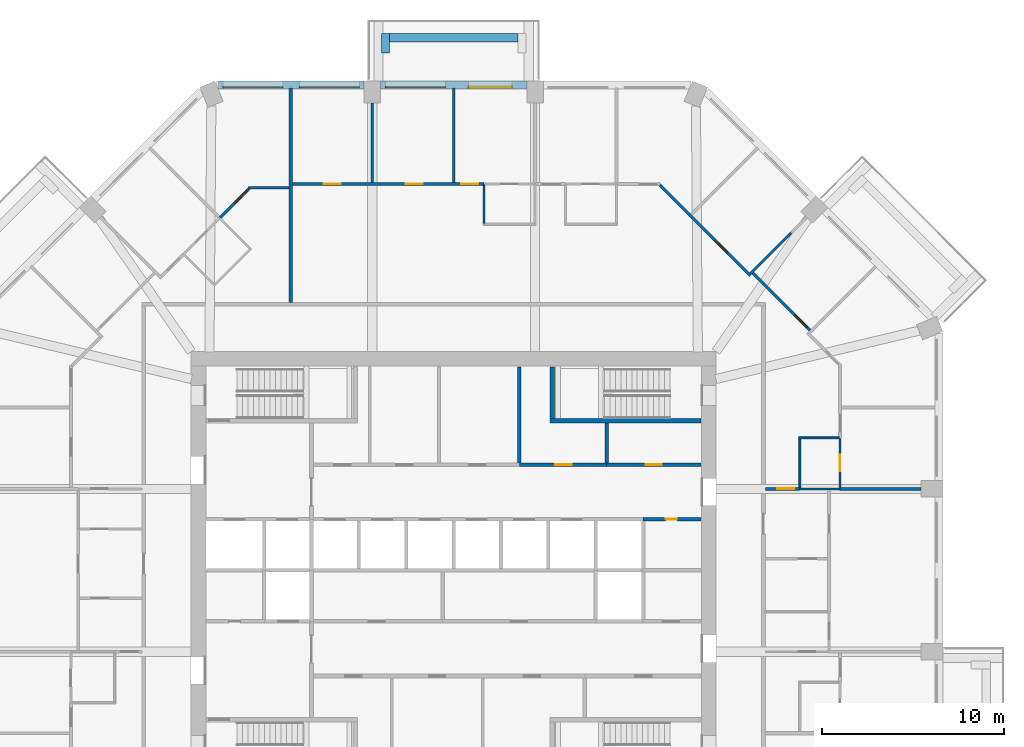
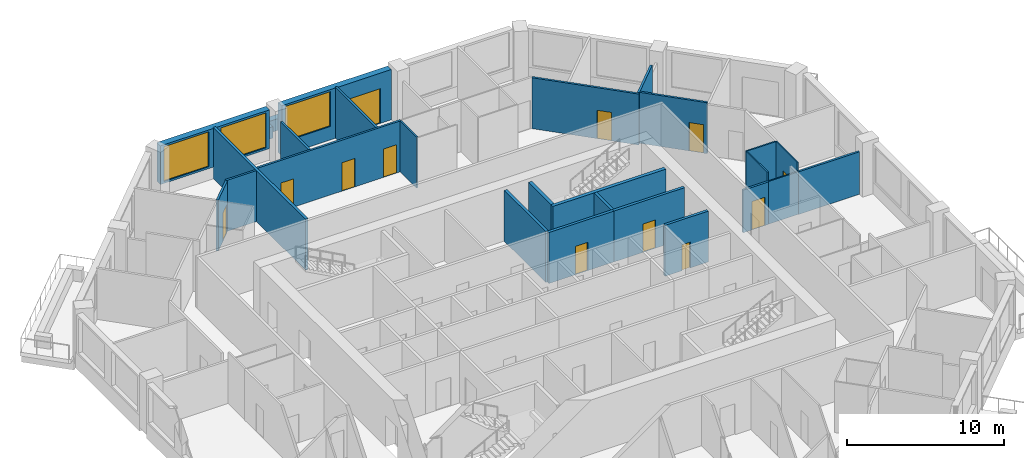
# One storey, part 9 of 12: 27 walls, 12 doors, 3 windows, 15 openings.
"""IFC4 building model written with IfcOpenShell, lengths in metres."""

import ifcopenshell
import ifcopenshell.guid

model = None  # the IFC model being written
_history = None  # IfcOwnerHistory: only IFC2X3 demands one
_inside = {}  # id of a spatial element -> (the spatial element, [elements in it])
_under = {}  # id of a project, library or spatial element -> (it, [spatial elements below it])
_declared = {}  # id of a project -> (the project, [libraries it declares])
_typed = {}  # id of a type object -> (the type object, [elements of that type])
_made_of = {}  # id of a material, layer set ... -> (it, [elements and type objects made of it])


def new_model(schema):
    """Start an empty IFC model of exactly this schema.

    Asked for "IFC4X3", IfcOpenShell would pick the latest addendum, in which some entities
    have other attributes; the version numbers below select the first issue.
    IFC2X3 requires an IfcOwnerHistory on every rooted entity: one is made here for all.
    """
    global model, _history
    if schema == "IFC4X3":
        model = ifcopenshell.file(schema_version=(4, 3, 0, 0))
    else:
        model = ifcopenshell.file(schema=schema)
    _inside.clear()
    _under.clear()
    _declared.clear()
    _typed.clear()
    _made_of.clear()
    _history = None
    if model.schema == "IFC2X3":
        org = make("IfcOrganization", Name="unknown")
        user = make(
            "IfcPersonAndOrganization",
            ThePerson=make("IfcPerson", FamilyName="unknown"),
            TheOrganization=org,
        )
        app = make(
            "IfcApplication",
            ApplicationDeveloper=org,
            Version="unknown",
            ApplicationFullName="unknown",
            ApplicationIdentifier="unknown",
        )
        _history = make(
            "IfcOwnerHistory",
            OwningUser=user,
            OwningApplication=app,
            ChangeAction="ADDED",
            CreationDate=0,
        )
    return model


def make(cls, **values):
    """One entity of the class cls with the attributes given. An attribute that is None is left unset."""
    return model.create_entity(
        cls, **{name: value for name, value in values.items() if value is not None}
    )


def rooted(cls, **values):
    """An entity with a GlobalId (a new one), such as an element, a storey or a relation."""
    return make(cls, GlobalId=ifcopenshell.guid.new(), OwnerHistory=_history, **values)


def si_unit(unit_type, name, prefix=None):
    """IfcSIUnit, for example si_unit("LENGTHUNIT", "METRE", prefix="MILLI")."""
    return make("IfcSIUnit", UnitType=unit_type, Prefix=prefix, Name=name)


def assignment(units):
    """IfcUnitAssignment: the units of a project."""
    return None if units is None else make("IfcUnitAssignment", Units=units)


def point(xyz):
    """IfcCartesianPoint."""
    return None if xyz is None else make("IfcCartesianPoint", Coordinates=xyz)


def direction(xyz):
    """IfcDirection."""
    return None if xyz is None else make("IfcDirection", DirectionRatios=xyz)


def frame(location, z_axis=None, x_axis=None):
    """IfcAxis2Placement3D, a coordinate frame: its origin and axes. An axis left out is left unset."""
    return make(
        "IfcAxis2Placement3D",
        Location=point(location),
        Axis=direction(z_axis),
        RefDirection=direction(x_axis),
    )


def frame_2d(location, x_axis=None):
    """IfcAxis2Placement2D, a coordinate frame in the plane: its origin and x axis."""
    return make(
        "IfcAxis2Placement2D", Location=point(location), RefDirection=direction(x_axis)
    )


def origin():
    """The frame at (0, 0, 0) with its axes left unset."""
    return frame((0.0, 0.0, 0.0))


def place(relative_to, where):
    """IfcLocalPlacement: puts the frame where relative to a parent placement (None: the world)."""
    return make(
        "IfcLocalPlacement", PlacementRelTo=relative_to, RelativePlacement=where
    )


def context(
    kind, dimensions, precision=None, world=None, true_north=None, identifier=None
):
    """IfcGeometricRepresentationContext, for example the 3D "Model" context."""
    return make(
        "IfcGeometricRepresentationContext",
        ContextIdentifier=identifier,
        ContextType=kind,
        CoordinateSpaceDimension=dimensions,
        Precision=precision,
        WorldCoordinateSystem=world,
        TrueNorth=true_north,
    )


def subcontext(parent, identifier, kind, view, scale=None):
    """IfcGeometricRepresentationSubContext, for example "Body" below "Model"."""
    return make(
        "IfcGeometricRepresentationSubContext",
        ContextIdentifier=identifier,
        ContextType=kind,
        ParentContext=parent,
        TargetScale=scale,
        TargetView=view,
    )


def project(units=None, contexts=None):
    """IfcProject with its units and contexts."""
    return rooted(
        "IfcProject",
        Name="project",
        RepresentationContexts=contexts,
        UnitsInContext=assignment(units),
    )


def spatial(cls, under=None, at=None, **own):
    """A site, building, storey or space (cls), placed at a placement, below another one or the project."""
    s = rooted(cls, ObjectPlacement=at, **own)
    if under is not None:
        _under.setdefault(under.id(), (under, []))[1].append(s)
    return s


def profile(cls, at=None, kind="AREA", **sizes):
    """A parametric profile (cls). Its sizes go by their IFC names, for example OverallWidth=200.0."""
    return make(cls, ProfileType=kind, Position=at, **sizes)


def rectangle(**sizes):
    """IfcRectangleProfileDef."""
    return profile("IfcRectangleProfileDef", **sizes)


def extrude(swept, where, along, depth):
    """IfcExtrudedAreaSolid: the profile swept, set in the frame where, extruded along a direction by depth."""
    return make(
        "IfcExtrudedAreaSolid",
        SweptArea=swept,
        Position=where,
        ExtrudedDirection=direction(along),
        Depth=depth,
    )


def shape(context_of_items, identifier, shape_type, items):
    """IfcShapeRepresentation: the items that make up one representation, for example the "Body"."""
    return make(
        "IfcShapeRepresentation",
        ContextOfItems=context_of_items,
        RepresentationIdentifier=identifier,
        RepresentationType=shape_type,
        Items=items,
    )


def material(Name=None, Category=None):
    """IfcMaterial."""
    return make("IfcMaterial", Name=Name, Category=Category)


def layer(
    of_material, thickness, ventilated=None, Name=None, Category=None, Priority=None
):
    """IfcMaterialLayer: one layer of a wall or slab, of a material (None: an air gap)."""
    return make(
        "IfcMaterialLayer",
        Material=of_material,
        LayerThickness=thickness,
        IsVentilated=ventilated,
        Name=Name,
        Category=Category,
        Priority=Priority,
    )


def layer_set(layers, Name=None):
    """IfcMaterialLayerSet."""
    return make("IfcMaterialLayerSet", MaterialLayers=layers, LayerSetName=Name)


def made_of(thing, what):
    """Note that an element or type object is made of a material, layer set ...; save() writes the relation."""
    if what is not None:
        _made_of.setdefault(what.id(), (what, []))[1].append(thing)
    return thing


def type_object(cls, material=None, **own):
    """A type object (cls), such as IfcWallType, which elements share."""
    return made_of(rooted(cls, **own), material)


def element(
    cls,
    number,
    at=None,
    inside=None,
    cuts=None,
    type_object=None,
    material=None,
    context=None,
    identifier="Body",
    shape_type=None,
    held_by="IfcProductDefinitionShape",
    body=None,
    shapes=None,
    **own,
):
    """One element of the class cls, such as IfcWall. Its Tag is "e" and its number.

    at: its placement. inside: the storey or other place that contains it. cuts: it is an
    opening in that element (IfcRelVoidsElement). A single representation is given by context,
    identifier, shape_type and body (its items); several are given by shapes. held_by: the class
    of the entity that holds the representations. save() writes the other relations.
    """
    e = rooted(cls, Tag="e%d" % number, ObjectPlacement=at, **own)
    if body is not None:
        shapes = [shape(context, identifier, shape_type, body)]
    if shapes is not None:
        e.Representation = make(held_by, Representations=shapes)
    if inside is not None:
        _inside.setdefault(inside.id(), (inside, []))[1].append(e)
    if cuts is not None:
        rooted(
            "IfcRelVoidsElement", RelatingBuildingElement=cuts, RelatedOpeningElement=e
        )
    if type_object is not None:
        _typed.setdefault(type_object.id(), (type_object, []))[1].append(e)
    return made_of(e, material)


def fill(opening, filler):
    """IfcRelFillsElement: the door or window that sits in an opening."""
    return rooted(
        "IfcRelFillsElement",
        RelatingOpeningElement=opening,
        RelatedBuildingElement=filler,
    )


def aggregate(whole, parts):
    """IfcRelAggregates: a whole, such as a stair, and the parts it consists of."""
    return rooted("IfcRelAggregates", RelatingObject=whole, RelatedObjects=parts)


def save(model, path):
    """Write the relations noted so far, then the file.

    IfcRelAggregates (storeys below a building ...), IfcRelContainedInSpatialStructure (elements
    in a storey), IfcRelDefinesByType, IfcRelAssociatesMaterial and IfcRelDeclares: one each for
    every whole, place, type object, material and project.
    """
    for whole, parts in _under.values():
        aggregate(whole, parts)
    for where, things in _inside.values():
        rooted(
            "IfcRelContainedInSpatialStructure",
            RelatedElements=things,
            RelatingStructure=where,
        )
    for kind, things in _typed.values():
        rooted("IfcRelDefinesByType", RelatedObjects=things, RelatingType=kind)
    for what, things in _made_of.values():
        rooted("IfcRelAssociatesMaterial", RelatedObjects=things, RelatingMaterial=what)
    for by, libraries in _declared.values():
        rooted("IfcRelDeclares", RelatingContext=by, RelatedDefinitions=libraries)
    model.write(path)


model = new_model("IFC4")

# Units and contexts
model_context = context("Model", 3, precision=1e-05, world=origin(), true_north=direction((0.0, 1.0)))
body_context = subcontext(model_context, "Body", "Model", "MODEL_VIEW")
ifc_project = project(units=[si_unit("LENGTHUNIT", "METRE"), si_unit("AREAUNIT", "SQUARE_METRE"), si_unit("VOLUMEUNIT", "CUBIC_METRE"), si_unit("PLANEANGLEUNIT", "RADIAN"), si_unit("MASSUNIT", "GRAM", prefix="KILO")], contexts=[model_context])

# Site, building, storey
site_placement = place(None, origin())
site = spatial("IfcSite", under=ifc_project, at=site_placement, CompositionType="ELEMENT")
building_placement = place(site_placement, origin())
building = spatial("IfcBuilding", under=site, at=building_placement, Name="Msitu Wima Residences", CompositionType="ELEMENT")
storey_placement = place(building_placement, frame((0.0, 0.0, 123.300048828125)))
storey = spatial("IfcBuildingStorey", under=building, at=storey_placement, Name="L28", CompositionType="ELEMENT", Elevation=123.300048828125)

# Walls
ifc_material_1 = material(Name="Facing brick")
ifc_layer_1 = layer(ifc_material_1, 0.06494140625, Name="Facing brick")
ifc_material_2 = material(Name="Concrete C40/50", Category="concrete")
ifc_layer_2 = layer(ifc_material_2, 0.156005859375, Name="Concrete C40/50")
ifc_material_3 = material(Name="Waterproofing membrane")
ifc_layer_3 = layer(ifc_material_3, 0.00390625, Name="Waterproofing membrane")
ifc_material_4 = material(Name="Planting soil and planting")
ifc_layer_4 = layer(ifc_material_4, 0.22509765625, Name="Planting soil and planting")
ifc_layer_set_1 = layer_set([ifc_layer_1, ifc_layer_2, ifc_layer_3, ifc_layer_4], Name="Concrete C40/50")
wall_type_1 = type_object("IfcWallType", Name="Balcony planter PLANTER PL450", PredefinedType="USERDEFINED", material=ifc_layer_set_1)
wall_1_placement = place(storey_placement, frame((3.5185546875, 29.22509765625, 0.0), z_axis=(0.0, 0.0, 1.0), x_axis=(-1.0, 0.0, 0.0)))
element("IfcWall", 1, at=wall_1_placement, inside=storey, type_object=wall_type_1, Name="Balcony planter N1 L28", ObjectType="PLANTER", PredefinedType="USERDEFINED", context=body_context, shape_type="SweptSolid", body=[
    extrude(rectangle(XDim=7.037109375, YDim=0.449951171875, at=frame_2d((3.5185546875, 0.0))), origin(), (0.0, 0.0, 1.0), 0.89990234375),
])
wall_2_placement = place(storey_placement, frame((-3.74365234375, 28.39990234375, 0.0), z_axis=(0.0, 0.0, 1.0), x_axis=(0.0, 1.0, 0.0)))
element("IfcWall", 2, at=wall_2_placement, inside=storey, type_object=wall_type_1, Name="Balcony planter N1 L28", ObjectType="PLANTER", PredefinedType="USERDEFINED", context=body_context, shape_type="SweptSolid", body=[
    extrude(rectangle(XDim=1.050048828125, YDim=0.449951171875, at=frame_2d((0.52490234375, 0.0))), origin(), (0.0, 0.0, 1.0), 0.89990234375),
])

# Wall, openings, door, window
ifc_material_5 = material(Name="Brick (red buff mix)", Category="masonry")
ifc_layer_5 = layer(ifc_material_5, 0.449951171875)
ifc_layer_set_2 = layer_set([ifc_layer_5], Name="Brick (red buff mix)")
wall_type_2 = type_object("IfcWallType", Name="Brick infill wall BW450", PredefinedType="SOLIDWALL", material=ifc_layer_set_2)
wall_3_placement = place(storey_placement, frame((4.0185546875, 26.625, 0.0), z_axis=(0.0, 0.0, 1.0), x_axis=(-1.0, 0.0, 0.0)))
wall_3 = element("IfcWall", 3, at=wall_3_placement, inside=storey, type_object=wall_type_2, Name="Brick infill wall L28 N1", PredefinedType="SOLIDWALL", context=body_context, shape_type="SweptSolid", body=[
    extrude(rectangle(XDim=8.037109375, YDim=0.449951171875, at=frame_2d((4.0185546875, 0.0))), origin(), (0.0, 0.0, 1.0), 3.89990234375),
])
opening_1_placement = place(wall_3_placement, frame((0.809326171875, 0.0, 0.0)))
opening_1 = element("IfcOpeningElement", 4, at=opening_1_placement, cuts=wall_3, Name="Opening D27-29.002", PredefinedType="OPENING", context=body_context, shape_type="SweptSolid", body=[
    extrude(rectangle(XDim=2.39990234375, YDim=2.699951171875, at=frame_2d((1.199951171875, 1.35009765625))), frame((0.0, 0.23486328125, 0.0), z_axis=(0.0, -1.0, 0.0), x_axis=(1.0, 0.0, 0.0)), (0.0, 0.0, 1.0), 0.469970703125),
])
opening_2_placement = place(wall_3_placement, frame((4.46875, 0.0, 1.050048828125)))
opening_2 = element("IfcOpeningElement", 5, at=opening_2_placement, cuts=wall_3, Name="Opening W27-29.008", PredefinedType="OPENING", context=body_context, shape_type="SweptSolid", body=[
    extrude(rectangle(XDim=3.300048828125, YDim=2.699951171875, at=frame_2d((1.64990234375, 1.35009765625))), frame((0.0, 0.23486328125, 0.0), z_axis=(0.0, -1.0, 0.0), x_axis=(1.0, 0.0, 0.0)), (0.0, 0.0, 1.0), 0.469970703125),
])
ifc_material_6 = material(Name="Anodised aluminium, bronze finish, clear low-emissivity double glazing", Category="aluminium")
door_type_1 = type_object("IfcDoorType", Name="Balcony door D2400x2700", OperationType="SLIDING_TO_LEFT", PredefinedType="DOOR", material=ifc_material_6)
door_1_placement = place(opening_1_placement, origin())
door_1 = element("IfcDoor", 6, at=door_1_placement, inside=storey, type_object=door_type_1, Name="Balcony door L28 N1", OperationType="SINGLE_SWING_LEFT", OverallHeight=2.699951171875, OverallWidth=2.39990234375, PredefinedType="DOOR", context=body_context, shape_type="SweptSolid", body=[
    extrude(rectangle(XDim=2.39990234375, YDim=2.699951171875, at=frame_2d((1.199951171875, 1.35009765625))), frame((0.0, 0.1298828125, 0.0), z_axis=(0.0, -1.0, 0.0), x_axis=(1.0, 0.0, 0.0)), (0.0, 0.0, 1.0), 0.050048828125),
])
fill(opening_1, door_1)
window_type = type_object("IfcWindowType", Name="Window W3300x2700", PartitioningType="DOUBLE_PANEL_VERTICAL", PredefinedType="WINDOW", material=ifc_material_6)
window_1_placement = place(opening_2_placement, origin())
window_1 = element("IfcWindow", 7, at=window_1_placement, inside=storey, type_object=window_type, Name="Window L28 N1.2", OverallHeight=2.699951171875, OverallWidth=3.300048828125, PartitioningType="SINGLE_PANEL", PredefinedType="WINDOW", context=body_context, shape_type="SweptSolid", body=[
    extrude(rectangle(XDim=3.300048828125, YDim=2.699951171875, at=frame_2d((1.64990234375, 1.35009765625))), frame((0.0, 0.135009765625, 0.0), z_axis=(0.0, -1.0, 0.0), x_axis=(1.0, 0.0, 0.0)), (0.0, 0.0, 1.0), 0.06005859375),
])
fill(opening_2, window_1)

# Wall, openings, windows
wall_4_placement = place(storey_placement, frame((-4.918701171875, 26.625, 0.89990234375), z_axis=(0.0, 0.0, 1.0), x_axis=(-1.0, 0.0, 0.0)))
wall_4 = element("IfcWall", 8, at=wall_4_placement, inside=storey, type_object=wall_type_2, Name="Brick infill wall L28 N2", PredefinedType="SOLIDWALL", context=body_context, shape_type="SweptSolid", body=[
    extrude(rectangle(XDim=8.0, YDim=0.449951171875, at=frame_2d((4.0, 0.0))), origin(), (0.0, 0.0, 1.0), 3.0),
])
opening_3_placement = place(wall_4_placement, frame((0.25, 0.0, 0.14990234375)))
opening_3 = element("IfcOpeningElement", 9, at=opening_3_placement, cuts=wall_4, Name="Opening W27-29.009", PredefinedType="OPENING", context=body_context, shape_type="SweptSolid", body=[
    extrude(rectangle(XDim=3.300048828125, YDim=2.699951171875, at=frame_2d((1.64990234375, 1.35009765625))), frame((0.0, 0.23486328125, 0.0), z_axis=(0.0, -1.0, 0.0), x_axis=(1.0, 0.0, 0.0)), (0.0, 0.0, 1.0), 0.469970703125),
])
opening_4_placement = place(wall_4_placement, frame((4.4501953125, 0.0, 0.14990234375)))
opening_4 = element("IfcOpeningElement", 10, at=opening_4_placement, cuts=wall_4, Name="Opening W27-29.010", PredefinedType="OPENING", context=body_context, shape_type="SweptSolid", body=[
    extrude(rectangle(XDim=3.300048828125, YDim=2.699951171875, at=frame_2d((1.64990234375, 1.35009765625))), frame((0.0, 0.23486328125, 0.0), z_axis=(0.0, -1.0, 0.0), x_axis=(1.0, 0.0, 0.0)), (0.0, 0.0, 1.0), 0.469970703125),
])
window_2_placement = place(opening_3_placement, origin())
window_2 = element("IfcWindow", 11, at=window_2_placement, inside=storey, type_object=window_type, Name="Window L28 N2.1", OverallHeight=2.699951171875, OverallWidth=3.300048828125, PartitioningType="SINGLE_PANEL", PredefinedType="WINDOW", context=body_context, shape_type="SweptSolid", body=[
    extrude(rectangle(XDim=3.300048828125, YDim=2.699951171875, at=frame_2d((1.64990234375, 1.35009765625))), frame((0.0, 0.135009765625, 0.0), z_axis=(0.0, -1.0, 0.0), x_axis=(1.0, 0.0, 0.0)), (0.0, 0.0, 1.0), 0.06005859375),
])
fill(opening_3, window_2)
window_3_placement = place(opening_4_placement, origin())
window_3 = element("IfcWindow", 12, at=window_3_placement, inside=storey, type_object=window_type, Name="Window L28 N2.2", OverallHeight=2.699951171875, OverallWidth=3.300048828125, PartitioningType="SINGLE_PANEL", PredefinedType="WINDOW", context=body_context, shape_type="SweptSolid", body=[
    extrude(rectangle(XDim=3.300048828125, YDim=2.699951171875, at=frame_2d((1.64990234375, 1.35009765625))), frame((0.0, 0.135009765625, 0.0), z_axis=(0.0, -1.0, 0.0), x_axis=(1.0, 0.0, 0.0)), (0.0, 0.0, 1.0), 0.06005859375),
])
fill(opening_4, window_3)

# Wall, opening, door
ifc_material_7 = material(Name="Plaster")
ifc_layer_6 = layer(ifc_material_7, 0.011962890625, Name="Plaster")
ifc_material_8 = material(Name="Concrete blockwork", Category="masonry")
ifc_layer_7 = layer(ifc_material_8, 0.176025390625, Name="Concrete blockwork")
ifc_layer_8 = layer(ifc_material_7, 0.011962890625, Name="Plaster")
ifc_layer_set_3 = layer_set([ifc_layer_6, ifc_layer_7, ifc_layer_8], Name="Concrete blockwork")
wall_type_3 = type_object("IfcWallType", Name="Corridor wall FW200", PredefinedType="PARTITIONING", material=ifc_layer_set_3)
wall_5_placement = place(storey_placement, frame((8.3798828125, 5.800048828125, 0.0), z_axis=(0.0, 0.0, 1.0), x_axis=(1.0, 0.0, 0.0)))
wall_5 = element("IfcWall", 13, at=wall_5_placement, inside=storey, type_object=wall_type_3, Name="Corridor wall", PredefinedType="PARTITIONING", context=body_context, shape_type="SweptSolid", body=[
    extrude(rectangle(XDim=5.190185546875, YDim=0.199951171875, at=frame_2d((2.59521484375, 0.0))), origin(), (0.0, 0.0, 1.0), 3.949951171875),
])
opening_5_placement = place(wall_5_placement, frame((2.14990234375, 0.0, 0.0)))
opening_5 = element("IfcOpeningElement", 14, at=opening_5_placement, cuts=wall_5, Name="Opening D27-29.020", PredefinedType="OPENING", context=body_context, shape_type="SweptSolid", body=[
    extrude(rectangle(XDim=0.89990234375, YDim=2.199951171875, at=frame_2d((0.449951171875, 1.10009765625))), frame((0.0, 0.10986328125, 0.0), z_axis=(0.0, -1.0, 0.0), x_axis=(1.0, 0.0, 0.0)), (0.0, 0.0, 1.0), 0.219970703125),
])
ifc_material_9 = material(Name="Timber flush door", Category="wood")
door_type_2 = type_object("IfcDoorType", Name="Service door D05 900x2200", OperationType="SINGLE_SWING_LEFT", PredefinedType="DOOR", material=ifc_material_9)
door_2_placement = place(opening_5_placement, origin())
door_2 = element("IfcDoor", 15, at=door_2_placement, inside=storey, type_object=door_type_2, Name="Service door", OperationType="SINGLE_SWING_LEFT", OverallHeight=2.199951171875, OverallWidth=0.89990234375, PredefinedType="DOOR", context=body_context, shape_type="SweptSolid", body=[
    extrude(rectangle(XDim=0.89990234375, YDim=2.199951171875, at=frame_2d((0.449951171875, 1.10009765625))), frame((0.0, 0.02490234375, 0.0), z_axis=(0.0, -1.0, 0.0), x_axis=(1.0, 0.0, 0.0)), (0.0, 0.0, 1.0), 0.050048828125),
])
fill(opening_5, door_2)

ifc_layer_9 = layer(ifc_material_7, 0.011962890625, Name="Plaster")
ifc_layer_10 = layer(ifc_material_8, 0.1259765625, Name="Concrete blockwork")
ifc_layer_11 = layer(ifc_material_7, 0.011962890625, Name="Plaster")
ifc_layer_set_4 = layer_set([ifc_layer_9, ifc_layer_10, ifc_layer_11], Name="Concrete blockwork")
wall_type_4 = type_object("IfcWallType", Name="Partition PW150", PredefinedType="PARTITIONING", material=ifc_layer_set_4)
wall_6_placement = place(storey_placement, frame((-12.82177734375, 19.34716796875, 0.0), z_axis=(0.0, 0.0, 1.0), x_axis=(0.707052822105, 0.70716073615, 0.0)))
wall_6 = element("IfcWall", 16, at=wall_6_placement, inside=storey, type_object=wall_type_4, Name="Partition", PredefinedType="PARTITIONING", context=body_context, shape_type="SweptSolid", body=[
    extrude(rectangle(XDim=2.262451171875, YDim=0.14990234375, at=frame_2d((1.13134765625, 0.0))), origin(), (0.0, 0.0, 1.0), 3.949951171875),
])
opening_6_placement = place(wall_6_placement, frame((1.14990234375, 0.0, 0.0)))
opening_6 = element("IfcOpeningElement", 17, at=opening_6_placement, cuts=wall_6, Name="Opening D27-29.057", PredefinedType="OPENING", context=body_context, shape_type="SweptSolid", body=[
    extrude(rectangle(XDim=0.949951171875, YDim=2.199951171875, at=frame_2d((0.47509765625, 1.10009765625))), frame((0.0, 0.0849609375, 0.0), z_axis=(0.0, -1.0, 0.0), x_axis=(1.0, 0.0, 0.0)), (0.0, 0.0, 1.0), 0.169921875),
])
door_type_3 = type_object("IfcDoorType", Name="Room door D12 950x2200", OperationType="SINGLE_SWING_LEFT", PredefinedType="DOOR", material=ifc_material_9)
door_3_placement = place(opening_6_placement, origin())
door_3 = element("IfcDoor", 18, at=door_3_placement, inside=storey, type_object=door_type_3, Name="Room door", OperationType="SINGLE_SWING_LEFT", OverallHeight=2.199951171875, OverallWidth=0.949951171875, PredefinedType="DOOR", context=body_context, shape_type="SweptSolid", body=[
    extrude(rectangle(XDim=0.949951171875, YDim=2.199951171875, at=frame_2d((0.47509765625, 1.10009765625))), frame((0.0, 0.02490234375, 0.0), z_axis=(0.0, -1.0, 0.0), x_axis=(1.0, 0.0, 0.0)), (0.0, 0.0, 1.0), 0.050048828125),
])
fill(opening_6, door_3)

# Wall
wall_7_placement = place(storey_placement, frame((-11.244140625, 21.0, 0.0), z_axis=(0.0, 0.0, 1.0), x_axis=(1.0, 0.0, 0.0)))
element("IfcWall", 19, at=wall_7_placement, inside=storey, type_object=wall_type_4, Name="Partition", PredefinedType="PARTITIONING", context=body_context, shape_type="SweptSolid", body=[
    extrude(rectangle(XDim=2.206787109375, YDim=0.14990234375, at=frame_2d((1.103515625, 0.0))), origin(), (0.0, 0.0, 1.0), 3.949951171875),
])

# Wall, openings, doors
wall_8_placement = place(storey_placement, frame((-8.837158203125, 21.199951171875, 0.0), z_axis=(0.0, 0.0, 1.0), x_axis=(1.0, 0.0, 0.0)))
wall_8 = element("IfcWall", 20, at=wall_8_placement, inside=storey, type_object=wall_type_4, Name="Partition", PredefinedType="PARTITIONING", context=body_context, shape_type="SweptSolid", body=[
    extrude(rectangle(XDim=10.505859375, YDim=0.14990234375, at=frame_2d((5.2529296875, 0.0))), origin(), (0.0, 0.0, 1.0), 3.949951171875),
])
opening_7_placement = place(wall_8_placement, frame((1.699951171875, 0.0, 0.0)))
opening_7 = element("IfcOpeningElement", 21, at=opening_7_placement, cuts=wall_8, Name="Opening D27-29.070", PredefinedType="OPENING", context=body_context, shape_type="SweptSolid", body=[
    extrude(rectangle(XDim=0.949951171875, YDim=2.199951171875, at=frame_2d((0.47509765625, 1.10009765625))), frame((0.0, 0.0849609375, 0.0), z_axis=(0.0, -1.0, 0.0), x_axis=(1.0, 0.0, 0.0)), (0.0, 0.0, 1.0), 0.169921875),
])
opening_8_placement = place(wall_8_placement, frame((9.25, 0.0, 0.0)))
opening_8 = element("IfcOpeningElement", 22, at=opening_8_placement, cuts=wall_8, Name="Opening D27-29.086", PredefinedType="OPENING", context=body_context, shape_type="SweptSolid", body=[
    extrude(rectangle(XDim=0.949951171875, YDim=2.199951171875, at=frame_2d((0.47509765625, 1.10009765625))), frame((0.0, 0.0849609375, 0.0), z_axis=(0.0, -1.0, 0.0), x_axis=(1.0, 0.0, 0.0)), (0.0, 0.0, 1.0), 0.169921875),
])
opening_9_placement = place(wall_8_placement, frame((6.199951171875, 0.0, 0.0)))
opening_9 = element("IfcOpeningElement", 23, at=opening_9_placement, cuts=wall_8, Name="Opening D27-29.041", PredefinedType="OPENING", context=body_context, shape_type="SweptSolid", body=[
    extrude(rectangle(XDim=0.949951171875, YDim=2.199951171875, at=frame_2d((0.47509765625, 1.10009765625))), frame((0.0, 0.0849609375, 0.0), z_axis=(0.0, -1.0, 0.0), x_axis=(1.0, 0.0, 0.0)), (0.0, 0.0, 1.0), 0.169921875),
])
door_4_placement = place(opening_7_placement, origin())
door_4 = element("IfcDoor", 24, at=door_4_placement, inside=storey, type_object=door_type_3, Name="Room door", OperationType="SINGLE_SWING_RIGHT", OverallHeight=2.199951171875, OverallWidth=0.949951171875, PredefinedType="DOOR", context=body_context, shape_type="SweptSolid", body=[
    extrude(rectangle(XDim=0.949951171875, YDim=2.199951171875, at=frame_2d((0.47509765625, 1.10009765625))), frame((0.0, 0.02490234375, 0.0), z_axis=(0.0, -1.0, 0.0), x_axis=(1.0, 0.0, 0.0)), (0.0, 0.0, 1.0), 0.050048828125),
])
fill(opening_7, door_4)
door_5_placement = place(opening_8_placement, origin())
door_5 = element("IfcDoor", 25, at=door_5_placement, inside=storey, type_object=door_type_3, Name="Room door", OperationType="SINGLE_SWING_LEFT", OverallHeight=2.199951171875, OverallWidth=0.949951171875, PredefinedType="DOOR", context=body_context, shape_type="SweptSolid", body=[
    extrude(rectangle(XDim=0.949951171875, YDim=2.199951171875, at=frame_2d((0.47509765625, 1.10009765625))), frame((0.0, 0.02490234375, 0.0), z_axis=(0.0, -1.0, 0.0), x_axis=(1.0, 0.0, 0.0)), (0.0, 0.0, 1.0), 0.050048828125),
])
fill(opening_8, door_5)
door_6_placement = place(opening_9_placement, origin())
door_6 = element("IfcDoor", 26, at=door_6_placement, inside=storey, type_object=door_type_3, Name="Room door", OperationType="SINGLE_SWING_RIGHT", OverallHeight=2.199951171875, OverallWidth=0.949951171875, PredefinedType="DOOR", context=body_context, shape_type="SweptSolid", body=[
    extrude(rectangle(XDim=0.949951171875, YDim=2.199951171875, at=frame_2d((0.47509765625, 1.10009765625))), frame((0.0, 0.02490234375, 0.0), z_axis=(0.0, -1.0, 0.0), x_axis=(1.0, 0.0, 0.0)), (0.0, 0.0, 1.0), 0.050048828125),
])
fill(opening_9, door_6)

# Walls
wall_9_placement = place(storey_placement, frame((-4.46875, 21.27490234375, 0.0), z_axis=(0.0, 0.0, 1.0), x_axis=(0.0, 1.0, 0.0)))
element("IfcWall", 27, at=wall_9_placement, inside=storey, type_object=wall_type_4, Name="Partition", PredefinedType="PARTITIONING", context=body_context, shape_type="SweptSolid", body=[
    extrude(rectangle(XDim=4.375, YDim=0.14990234375, at=frame_2d((2.1875, 0.0))), origin(), (0.0, 0.0, 1.0), 3.300048828125),
])
wall_10_placement = place(storey_placement, frame((0.0, 21.27490234375, 0.0), z_axis=(0.0, 0.0, 1.0), x_axis=(0.0, 1.0, 0.0)))
element("IfcWall", 28, at=wall_10_placement, inside=storey, type_object=wall_type_4, Name="Partition", PredefinedType="PARTITIONING", context=body_context, shape_type="SweptSolid", body=[
    extrude(rectangle(XDim=5.18017578125, YDim=0.14990234375, at=frame_2d((2.590087890625, 0.0))), origin(), (0.0, 0.0, 1.0), 3.949951171875),
])

# Wall, opening, door
wall_11_placement = place(storey_placement, frame((11.304931640625, 21.14697265625, 0.0), z_axis=(0.0, 0.0, 1.0), x_axis=(0.707106781187, -0.707106781187, 0.0)))
wall_11 = element("IfcWall", 29, at=wall_11_placement, inside=storey, type_object=wall_type_4, Name="Partition", PredefinedType="PARTITIONING", context=body_context, shape_type="SweptSolid", body=[
    extrude(rectangle(XDim=7.034423828125, YDim=0.14990234375, at=frame_2d((3.51708984375, 0.0))), origin(), (0.0, 0.0, 1.0), 3.949951171875),
])
opening_10_placement = place(wall_11_placement, frame((4.300048828125, 0.0, 0.0)))
opening_10 = element("IfcOpeningElement", 30, at=opening_10_placement, cuts=wall_11, Name="Opening D27-29.059", PredefinedType="OPENING", context=body_context, shape_type="SweptSolid", body=[
    extrude(rectangle(XDim=0.949951171875, YDim=2.199951171875, at=frame_2d((0.47509765625, 1.10009765625))), frame((0.0, 0.0849609375, 0.0), z_axis=(0.0, -1.0, 0.0), x_axis=(1.0, 0.0, 0.0)), (0.0, 0.0, 1.0), 0.169921875),
])
door_7_placement = place(opening_10_placement, origin())
door_7 = element("IfcDoor", 31, at=door_7_placement, inside=storey, type_object=door_type_3, Name="Room door", OperationType="SINGLE_SWING_RIGHT", OverallHeight=2.199951171875, OverallWidth=0.949951171875, PredefinedType="DOOR", context=body_context, shape_type="SweptSolid", body=[
    extrude(rectangle(XDim=0.949951171875, YDim=2.199951171875, at=frame_2d((0.47509765625, 1.10009765625))), frame((0.0, 0.02490234375, 0.0), z_axis=(0.0, -1.0, 0.0), x_axis=(1.0, 0.0, 0.0)), (0.0, 0.0, 1.0), 0.050048828125),
])
fill(opening_10, door_7)

# Wall
wall_12_placement = place(storey_placement, frame((16.279052734375, 16.279052734375, 0.0), z_axis=(0.0, 0.0, 1.0), x_axis=(0.707106781187, 0.707106781187, 0.0)))
element("IfcWall", 32, at=wall_12_placement, inside=storey, type_object=wall_type_4, Name="Partition", PredefinedType="PARTITIONING", context=body_context, shape_type="SweptSolid", body=[
    extrude(rectangle(XDim=3.165771484375, YDim=0.14990234375, at=frame_2d((1.5830078125, 0.0))), origin(), (0.0, 0.0, 1.0), 3.949951171875),
])

# Wall, opening, door
wall_13_placement = place(storey_placement, frame((16.42041015625, 16.314453125, 0.0), z_axis=(0.0, 0.0, 1.0), x_axis=(0.707106781187, -0.707106781187, 0.0)))
wall_13 = element("IfcWall", 33, at=wall_13_placement, inside=storey, type_object=wall_type_4, Name="Partition", PredefinedType="PARTITIONING", context=body_context, shape_type="SweptSolid", body=[
    extrude(rectangle(XDim=4.4443359375, YDim=0.14990234375, at=frame_2d((2.22216796875, 0.0))), origin(), (0.0, 0.0, 1.0), 3.949951171875),
])
opening_11_placement = place(wall_13_placement, frame((3.25, 0.0, 0.0)))
opening_11 = element("IfcOpeningElement", 34, at=opening_11_placement, cuts=wall_13, Name="Opening D27-29.039", PredefinedType="OPENING", context=body_context, shape_type="SweptSolid", body=[
    extrude(rectangle(XDim=0.949951171875, YDim=2.199951171875, at=frame_2d((0.47509765625, 1.10009765625))), frame((0.0, 0.0849609375, 0.0), z_axis=(0.0, -1.0, 0.0), x_axis=(1.0, 0.0, 0.0)), (0.0, 0.0, 1.0), 0.169921875),
])
door_8_placement = place(opening_11_placement, origin())
door_8 = element("IfcDoor", 35, at=door_8_placement, inside=storey, type_object=door_type_3, Name="Room door", OperationType="SINGLE_SWING_RIGHT", OverallHeight=2.199951171875, OverallWidth=0.949951171875, PredefinedType="DOOR", context=body_context, shape_type="SweptSolid", body=[
    extrude(rectangle(XDim=0.949951171875, YDim=2.199951171875, at=frame_2d((0.47509765625, 1.10009765625))), frame((0.0, 0.02490234375, 0.0), z_axis=(0.0, -1.0, 0.0), x_axis=(1.0, 0.0, 0.0)), (0.0, 0.0, 1.0), 0.050048828125),
])
fill(opening_11, door_8)

wall_14_placement = place(storey_placement, frame((17.10009765625, 4.46875, 0.0), z_axis=(0.0, 0.0, 1.0), x_axis=(1.0, 0.0, 0.0)))
wall_14 = element("IfcWall", 36, at=wall_14_placement, inside=storey, type_object=wall_type_4, Name="Partition", PredefinedType="PARTITIONING", context=body_context, shape_type="SweptSolid", body=[
    extrude(rectangle(XDim=1.8798828125, YDim=0.14990234375, at=frame_2d((0.93994140625, 0.0))), origin(), (0.0, 0.0, 1.0), 3.300048828125),
])
opening_12_placement = place(wall_14_placement, frame((0.64990234375, 0.0, 0.0)))
opening_12 = element("IfcOpeningElement", 37, at=opening_12_placement, cuts=wall_14, Name="Opening D27-29.048", PredefinedType="OPENING", context=body_context, shape_type="SweptSolid", body=[
    extrude(rectangle(XDim=0.949951171875, YDim=2.199951171875, at=frame_2d((0.47509765625, 1.10009765625))), frame((0.0, 0.0849609375, 0.0), z_axis=(0.0, -1.0, 0.0), x_axis=(1.0, 0.0, 0.0)), (0.0, 0.0, 1.0), 0.169921875),
])
door_9_placement = place(opening_12_placement, origin())
door_9 = element("IfcDoor", 38, at=door_9_placement, inside=storey, type_object=door_type_3, Name="Room door", OperationType="SINGLE_SWING_RIGHT", OverallHeight=2.199951171875, OverallWidth=0.949951171875, PredefinedType="DOOR", context=body_context, shape_type="SweptSolid", body=[
    extrude(rectangle(XDim=0.949951171875, YDim=2.199951171875, at=frame_2d((0.47509765625, 1.10009765625))), frame((0.0, 0.02490234375, 0.0), z_axis=(0.0, -1.0, 0.0), x_axis=(1.0, 0.0, 0.0)), (0.0, 0.0, 1.0), 0.050048828125),
])
fill(opening_12, door_9)

# Walls
wall_15_placement = place(storey_placement, frame((21.179931640625, 4.46875, 0.0), z_axis=(0.0, 0.0, 1.0), x_axis=(1.0, 0.0, 0.0)))
element("IfcWall", 39, at=wall_15_placement, inside=storey, type_object=wall_type_4, Name="Partition", PredefinedType="PARTITIONING", context=body_context, shape_type="SweptSolid", body=[
    extrude(rectangle(XDim=4.469970703125, YDim=0.14990234375, at=frame_2d((2.23486328125, 0.0))), origin(), (0.0, 0.0, 1.0), 3.300048828125),
])
ifc_layer_12 = layer(ifc_material_7, 0.011962890625, Name="Plaster")
ifc_material_10 = material(Name="Dense concrete blockwork", Category="masonry")
ifc_layer_13 = layer(ifc_material_10, 0.176025390625, Name="Dense concrete blockwork")
ifc_layer_14 = layer(ifc_material_7, 0.011962890625, Name="Plaster")
ifc_layer_set_5 = layer_set([ifc_layer_12, ifc_layer_13, ifc_layer_14], Name="Dense concrete blockwork")
wall_type_5 = type_object("IfcWallType", Name="Party wall PW200", PredefinedType="PARTITIONING", material=ifc_layer_set_5)
wall_16_placement = place(storey_placement, frame((-8.937255859375, 14.699951171875, 0.0), z_axis=(0.0, 0.0, 1.0), x_axis=(0.0, 1.0, 0.0)))
element("IfcWall", 40, at=wall_16_placement, inside=storey, type_object=wall_type_5, Name="Party wall", PredefinedType="PARTITIONING", context=body_context, shape_type="SweptSolid", body=[
    extrude(rectangle(XDim=11.755126953125, YDim=0.199951171875, at=frame_2d((5.87744140625, 0.0))), origin(), (0.0, 0.0, 1.0), 3.949951171875),
])

# Wall, opening, door
ifc_layer_15 = layer(ifc_material_7, 0.011962890625, Name="Plaster")
ifc_material_11 = material(Name="Reinforced concrete blockwork", Category="masonry")
ifc_layer_16 = layer(ifc_material_11, 0.176025390625, Name="Reinforced concrete blockwork")
ifc_layer_17 = layer(ifc_material_7, 0.011962890625, Name="Plaster")
ifc_layer_set_6 = layer_set([ifc_layer_15, ifc_layer_16, ifc_layer_17], Name="Reinforced concrete blockwork")
wall_type_6 = type_object("IfcWallType", Name="Plant and riser wall PL200", PredefinedType="PARTITIONING", material=ifc_layer_set_6)
wall_17_placement = place(storey_placement, frame((3.6201171875, 5.800048828125, 0.0), z_axis=(0.0, 0.0, 1.0), x_axis=(1.0, 0.0, 0.0)))
wall_17 = element("IfcWall", 41, at=wall_17_placement, inside=storey, type_object=wall_type_6, Name="Plant and riser wall", PredefinedType="PARTITIONING", context=body_context, shape_type="SweptSolid", body=[
    extrude(rectangle(XDim=4.759765625, YDim=0.199951171875, at=frame_2d((2.3798828125, 0.0))), origin(), (0.0, 0.0, 1.0), 3.949951171875),
])
opening_13_placement = place(wall_17_placement, frame((1.949951171875, 0.0, 0.0)))
opening_13 = element("IfcOpeningElement", 42, at=opening_13_placement, cuts=wall_17, Name="Opening D27-29.019", PredefinedType="OPENING", context=body_context, shape_type="SweptSolid", body=[
    extrude(rectangle(XDim=0.89990234375, YDim=2.199951171875, at=frame_2d((0.449951171875, 1.10009765625))), frame((0.0, 0.10986328125, 0.0), z_axis=(0.0, -1.0, 0.0), x_axis=(1.0, 0.0, 0.0)), (0.0, 0.0, 1.0), 0.219970703125),
])
door_10_placement = place(opening_13_placement, origin())
door_10 = element("IfcDoor", 43, at=door_10_placement, inside=storey, type_object=door_type_2, Name="Service door", OperationType="SINGLE_SWING_RIGHT", OverallHeight=2.199951171875, OverallWidth=0.89990234375, PredefinedType="DOOR", context=body_context, shape_type="SweptSolid", body=[
    extrude(rectangle(XDim=0.89990234375, YDim=2.199951171875, at=frame_2d((0.449951171875, 1.10009765625))), frame((0.0, 0.02490234375, 0.0), z_axis=(0.0, -1.0, 0.0), x_axis=(1.0, 0.0, 0.0)), (0.0, 0.0, 1.0), 0.050048828125),
])
fill(opening_13, door_10)

# Walls
wall_18_placement = place(storey_placement, frame((3.60009765625, 5.89990234375, 0.0), z_axis=(0.0, 0.0, 1.0), x_axis=(0.0, 1.0, 0.0)))
element("IfcWall", 44, at=wall_18_placement, inside=storey, type_object=wall_type_6, Name="Plant and riser wall", PredefinedType="PARTITIONING", context=body_context, shape_type="SweptSolid", body=[
    extrude(rectangle(XDim=5.27001953125, YDim=0.199951171875, at=frame_2d((2.635009765625, 0.0))), origin(), (0.0, 0.0, 1.0), 3.949951171875),
])
wall_19_placement = place(storey_placement, frame((8.39990234375, 5.89990234375, 0.0), z_axis=(0.0, 0.0, 1.0), x_axis=(0.0, 1.0, 0.0)))
element("IfcWall", 45, at=wall_19_placement, inside=storey, type_object=wall_type_6, Name="Plant and riser wall", PredefinedType="PARTITIONING", context=body_context, shape_type="SweptSolid", body=[
    extrude(rectangle(XDim=2.175048828125, YDim=0.199951171875, at=frame_2d((1.08740234375, 0.0))), origin(), (0.0, 0.0, 1.0), 3.949951171875),
])

# Wall, opening, door
wall_20_placement = place(storey_placement, frame((10.39990234375, 2.800048828125, 0.0), z_axis=(0.0, 0.0, 1.0), x_axis=(1.0, 0.0, 0.0)))
wall_20 = element("IfcWall", 46, at=wall_20_placement, inside=storey, type_object=wall_type_6, Name="Plant and riser wall", PredefinedType="PARTITIONING", context=body_context, shape_type="SweptSolid", body=[
    extrude(rectangle(XDim=3.170166015625, YDim=0.199951171875, at=frame_2d((1.5849609375, 0.0))), origin(), (0.0, 0.0, 1.0), 3.949951171875),
])
opening_14_placement = place(wall_20_placement, frame((1.25, 0.0, 0.0)))
opening_14 = element("IfcOpeningElement", 47, at=opening_14_placement, cuts=wall_20, Name="Opening D27-29.027", PredefinedType="OPENING", context=body_context, shape_type="SweptSolid", body=[
    extrude(rectangle(XDim=0.60009765625, YDim=2.0, at=frame_2d((0.300048828125, 1.0))), frame((0.0, 0.10986328125, 0.0), z_axis=(0.0, -1.0, 0.0), x_axis=(1.0, 0.0, 0.0)), (0.0, 0.0, 1.0), 0.219970703125),
])
ifc_material_12 = material(Name="Steel access door, fire resisting", Category="steel")
door_type_4 = type_object("IfcDoorType", Name="Riser access door D08 600x2000", OperationType="SINGLE_SWING_LEFT", PredefinedType="DOOR", material=ifc_material_12)
door_11_placement = place(opening_14_placement, origin())
door_11 = element("IfcDoor", 48, at=door_11_placement, inside=storey, type_object=door_type_4, Name="Riser access door", OperationType="SINGLE_SWING_RIGHT", OverallHeight=2.0, OverallWidth=0.60009765625, PredefinedType="DOOR", context=body_context, shape_type="SweptSolid", body=[
    extrude(rectangle(XDim=0.60009765625, YDim=2.0, at=frame_2d((0.300048828125, 1.0))), frame((0.0, 0.02490234375, 0.0), z_axis=(0.0, -1.0, 0.0), x_axis=(1.0, 0.0, 0.0)), (0.0, 0.0, 1.0), 0.050048828125),
])
fill(opening_14, door_11)

# Walls
ifc_material_13 = material(Name="Concrete C50/60", Category="concrete")
ifc_layer_18 = layer(ifc_material_13, 0.25)
ifc_layer_set_7 = layer_set([ifc_layer_18], Name="Concrete C50/60")
wall_type_7 = type_object("IfcWallType", Name="Stair enclosure wall SW250", PredefinedType="SHEAR", material=ifc_layer_set_7)
wall_21_placement = place(storey_placement, frame((5.39990234375, 8.324951171875, 0.0), z_axis=(0.0, 0.0, 1.0), x_axis=(0.0, 1.0, 0.0)))
element("IfcWall", 49, at=wall_21_placement, inside=storey, type_object=wall_type_7, Name="Stair enclosure wall", PredefinedType="SHEAR", context=body_context, shape_type="SweptSolid", body=[
    extrude(rectangle(XDim=2.844970703125, YDim=0.25, at=frame_2d((1.42236328125, 0.0))), origin(), (0.0, 0.0, 1.0), 3.949951171875),
])
wall_22_placement = place(storey_placement, frame((5.27490234375, 8.199951171875, 0.0), z_axis=(0.0, 0.0, 1.0), x_axis=(1.0, 0.0, 0.0)))
element("IfcWall", 50, at=wall_22_placement, inside=storey, type_object=wall_type_7, Name="Stair enclosure wall", PredefinedType="SHEAR", context=body_context, shape_type="SweptSolid", body=[
    extrude(rectangle(XDim=8.295166015625, YDim=0.25, at=frame_2d((4.1474609375, 0.0))), origin(), (0.0, 0.0, 1.0), 3.949951171875),
])
ifc_material_14 = material(Name="Ceramic tiles")
ifc_layer_19 = layer(ifc_material_14, 0.008056640625, Name="Ceramic tiles")
ifc_material_15 = material(Name="Moisture-resistant board")
ifc_layer_20 = layer(ifc_material_15, 0.012451171875, Name="Moisture-resistant board")
ifc_material_16 = material(Name="Light-gauge stud framing with mineral wool")
ifc_layer_21 = layer(ifc_material_16, 0.06689453125, Name="Light-gauge stud framing with mineral wool")
ifc_layer_22 = layer(ifc_material_15, 0.012451171875, Name="Moisture-resistant board")
ifc_layer_set_8 = layer_set([ifc_layer_19, ifc_layer_20, ifc_layer_21, ifc_layer_22], Name="Light-gauge stud framing with mineral wool")
wall_type_8 = type_object("IfcWallType", Name="Wet wall PW100", PredefinedType="PARTITIONING", material=ifc_layer_set_8)
wall_23_placement = place(storey_placement, frame((1.668701171875, 19.050048828125, 0.0), z_axis=(0.0, 0.0, 1.0), x_axis=(0.0, 1.0, 0.0)))
element("IfcWall", 51, at=wall_23_placement, inside=storey, type_object=wall_type_8, Name="Wet wall", PredefinedType="PARTITIONING", context=body_context, shape_type="SweptSolid", body=[
    extrude(rectangle(XDim=2.099853515625, YDim=0.10009765625, at=frame_2d((1.0498046875, 0.0))), origin(), (0.0, 0.0, 1.0), 3.949951171875),
])
wall_24_placement = place(storey_placement, frame((18.97998046875, 4.46875, 0.0), z_axis=(0.0, 0.0, 1.0), x_axis=(1.0, 0.0, 0.0)))
element("IfcWall", 52, at=wall_24_placement, inside=storey, type_object=wall_type_8, Name="Wet wall", PredefinedType="PARTITIONING", context=body_context, shape_type="SweptSolid", body=[
    extrude(rectangle(XDim=2.199951171875, YDim=0.10009765625, at=frame_2d((1.10009765625, 0.0))), origin(), (0.0, 0.0, 1.0), 3.300048828125),
])
wall_25_placement = place(storey_placement, frame((19.0, 4.543701171875, 0.0), z_axis=(0.0, 0.0, 1.0), x_axis=(0.0, 1.0, 0.0)))
element("IfcWall", 53, at=wall_25_placement, inside=storey, type_object=wall_type_8, Name="Wet wall", PredefinedType="PARTITIONING", context=body_context, shape_type="SweptSolid", body=[
    extrude(rectangle(XDim=2.675048828125, YDim=0.10009765625, at=frame_2d((1.33740234375, 0.0))), origin(), (0.0, 0.0, 1.0), 3.949951171875),
])
wall_26_placement = place(storey_placement, frame((18.949951171875, 7.2685546875, 0.0), z_axis=(0.0, 0.0, 1.0), x_axis=(1.0, 0.0, 0.0)))
element("IfcWall", 54, at=wall_26_placement, inside=storey, type_object=wall_type_8, Name="Wet wall", PredefinedType="PARTITIONING", context=body_context, shape_type="SweptSolid", body=[
    extrude(rectangle(XDim=2.199951171875, YDim=0.10009765625, at=frame_2d((1.10009765625, 0.0))), origin(), (0.0, 0.0, 1.0), 3.949951171875),
])

# Wall, opening, door
wall_27_placement = place(storey_placement, frame((21.199951171875, 4.543701171875, 0.0), z_axis=(0.0, 0.0, 1.0), x_axis=(0.0, 1.0, 0.0)))
wall_27 = element("IfcWall", 55, at=wall_27_placement, inside=storey, type_object=wall_type_8, Name="Wet wall", PredefinedType="PARTITIONING", context=body_context, shape_type="SweptSolid", body=[
    extrude(rectangle(XDim=2.704833984375, YDim=0.10009765625, at=frame_2d((1.3525390625, 0.0))), origin(), (0.0, 0.0, 1.0), 3.949951171875),
])
opening_15_placement = place(wall_27_placement, frame((0.89990234375, 0.0, 0.0)))
opening_15 = element("IfcOpeningElement", 56, at=opening_15_placement, cuts=wall_27, Name="Opening D27-29.038", PredefinedType="OPENING", context=body_context, shape_type="SweptSolid", body=[
    extrude(rectangle(XDim=0.89990234375, YDim=2.199951171875, at=frame_2d((0.449951171875, 1.10009765625))), frame((0.0, 0.06005859375, 0.0), z_axis=(0.0, -1.0, 0.0), x_axis=(1.0, 0.0, 0.0)), (0.0, 0.0, 1.0), 0.1201171875),
])
ifc_material_17 = material(Name="Timber flush door, moisture resistant", Category="wood")
door_type_5 = type_object("IfcDoorType", Name="Bathroom door D03 900x2200", OperationType="SINGLE_SWING_LEFT", PredefinedType="DOOR", material=ifc_material_17)
door_12_placement = place(opening_15_placement, origin())
door_12 = element("IfcDoor", 57, at=door_12_placement, inside=storey, type_object=door_type_5, Name="Bathroom door", OperationType="SINGLE_SWING_RIGHT", OverallHeight=2.199951171875, OverallWidth=0.89990234375, PredefinedType="DOOR", context=body_context, shape_type="SweptSolid", body=[
    extrude(rectangle(XDim=0.89990234375, YDim=2.199951171875, at=frame_2d((0.449951171875, 1.10009765625))), frame((0.0, 0.02490234375, 0.0), z_axis=(0.0, -1.0, 0.0), x_axis=(1.0, 0.0, 0.0)), (0.0, 0.0, 1.0), 0.050048828125),
])
fill(opening_15, door_12)

save(model, "model.ifc")
